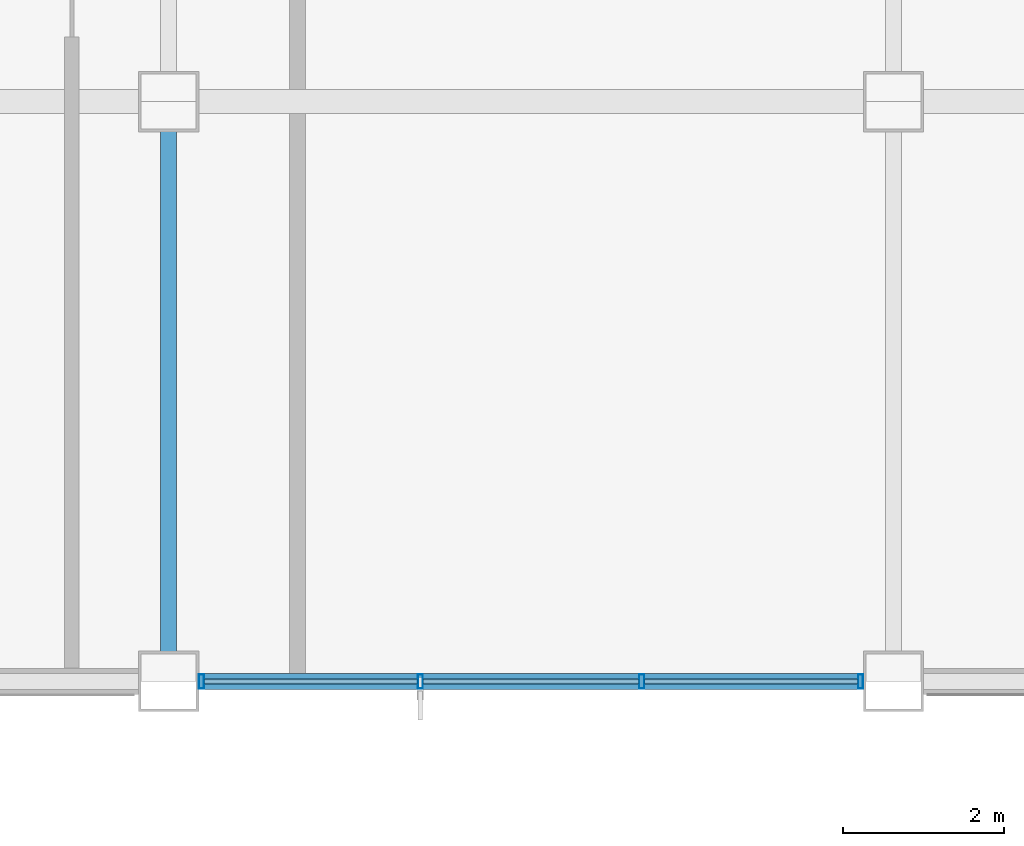
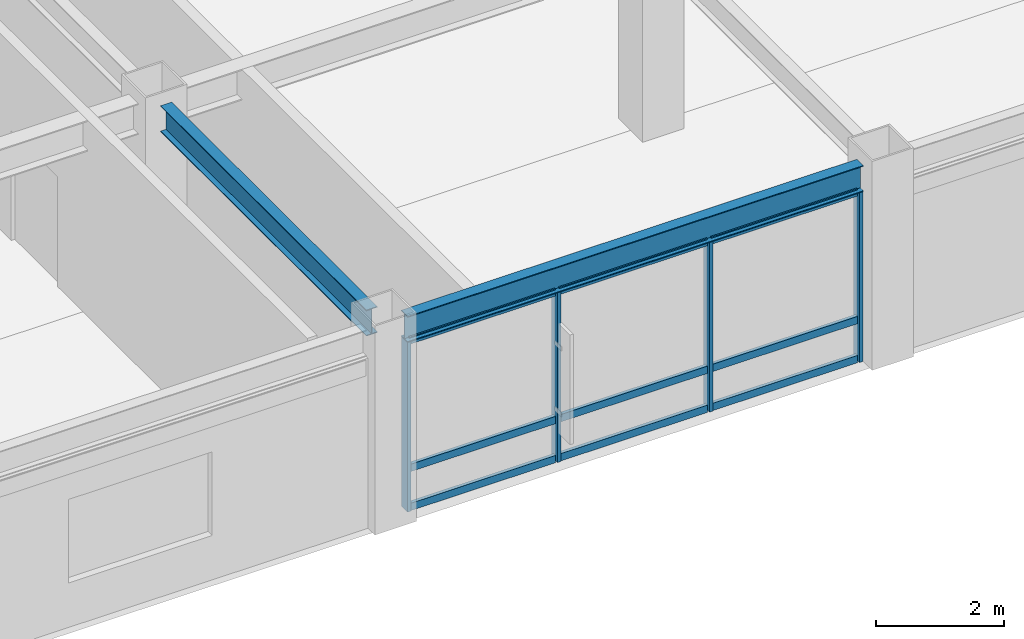
# One storey, part 87 of 122: 13 members, 2 beams, 1 element without a shape of its own.
"""IFC4 building model written with IfcOpenShell, lengths in metres."""

from ifc_helpers import new_model, si_unit, direction, frame, origin, origin_2d, place, context, subcontext, project, spatial, hollow_rectangle, i_section, extrude, material, material_profile, profile_set, type_object, element, aggregate, save


model = new_model("IFC4")

# Units and contexts
model_context = context("Model", 3, precision=1e-05, world=origin(), true_north=direction((0.0, 1.0)))
body_context = subcontext(model_context, "Body", "Model", "MODEL_VIEW")
ifc_project = project(units=[si_unit("LENGTHUNIT", "METRE"), si_unit("AREAUNIT", "SQUARE_METRE"), si_unit("VOLUMEUNIT", "CUBIC_METRE"), si_unit("PLANEANGLEUNIT", "RADIAN"), si_unit("MASSUNIT", "GRAM", prefix="KILO")], contexts=[model_context])

# Site, building, storey
site_placement = place(None, origin())
site = spatial("IfcSite", under=ifc_project, at=site_placement, CompositionType="ELEMENT")
building_placement = place(site_placement, origin())
building = spatial("IfcBuilding", under=site, at=building_placement, Name="Kazanami Central Library", CompositionType="ELEMENT")
storey_placement = place(building_placement, frame((0.0, 0.0, 4.800048828125)))
storey = spatial("IfcBuildingStorey", under=building, at=storey_placement, Name="L02", CompositionType="ELEMENT", Elevation=4.800048828125)

# Beams
ifc_material_1 = material(Name="Steel SN490B (325 MPa)", Category="steel")
ifc_material_profile_1 = material_profile(ifc_material_1, i_section(OverallWidth=0.199951171875, OverallDepth=0.5, WebThickness=0.010009765625, FlangeThickness=0.01611328125, at=origin_2d()), Name="H-500x200x10x16")
ifc_profile_set_1 = profile_set([ifc_material_profile_1], Name="Steel SN490B (325 MPa)")
beam_type_1 = type_object("IfcBeamType", Name="BM-G-Y2", PredefinedType="BEAM", material=ifc_profile_set_1)
beam_1_placement = place(storey_placement, frame((144.0, 43.572998046875, 3.5048828125), z_axis=(0.0, 1.0, 0.0), x_axis=(-1.0, 0.0, 0.0)))
element("IfcBeam", 1, at=beam_1_placement, inside=storey, type_object=beam_type_1, Name="Girder G-Y2 L02 17/G-H", PredefinedType="BEAM", context=body_context, shape_type="SweptSolid", body=[
    extrude(i_section(OverallWidth=0.199951171875, OverallDepth=0.5, WebThickness=0.010009765625, FlangeThickness=0.01611328125, at=origin_2d()), origin(), (0.0, 0.0, 1.0), 6.4541015625),
])
ifc_material_profile_2 = material_profile(ifc_material_1, i_section(OverallWidth=0.199951171875, OverallDepth=0.5, WebThickness=0.010009765625, FlangeThickness=0.01611328125, at=origin_2d()), Name="H-500x200x10x16")
ifc_profile_set_2 = profile_set([ifc_material_profile_2], Name="Steel SN490B (325 MPa)")
beam_type_2 = type_object("IfcBeamType", Name="BM-SP-1", PredefinedType="SPANDREL", material=ifc_profile_set_2)
beam_2_placement = place(storey_placement, frame((144.373046875, 43.199951171875, 3.5048828125), z_axis=(1.0, 0.0, 0.0), x_axis=(0.0, 1.0, 0.0)))
element("IfcBeam", 2, at=beam_2_placement, inside=storey, type_object=beam_type_2, Name="Girder SP-1 L02 G/17-18", PredefinedType="SPANDREL", context=body_context, shape_type="SweptSolid", body=[
    extrude(i_section(OverallWidth=0.199951171875, OverallDepth=0.5, WebThickness=0.010009765625, FlangeThickness=0.01611328125, at=origin_2d()), origin(), (0.0, 0.0, 1.0), 8.25390625),
])

# Curtain wall, members
ifc_material_2 = material(Name="Acid-Etched Low-E Laminated Glass", Category="glass")
curtain_wall_type = type_object("IfcCurtainWallType", Name="CW-8250x3255-M275", PredefinedType="USERDEFINED", material=ifc_material_2)
curtain_wall_placement = place(storey_placement, origin())
curtain_wall = element("IfcCurtainWall", 3, at=curtain_wall_placement, inside=storey, type_object=curtain_wall_type, Name="Unitised Curtain Wall CW-15 L02 S-G-16", ObjectType="UNITISED CURTAIN WALL", PredefinedType="USERDEFINED")
ifc_material_3 = material(Name="Anodised Aluminium A6063-T5", Category="aluminium")
ifc_material_profile_3 = material_profile(ifc_material_3, hollow_rectangle(XDim=0.06494140625, YDim=0.179931640625, WallThickness=0.00390625, at=origin_2d()), Name="ALU-MULL-65x180x4")
ifc_profile_set_3 = profile_set([ifc_material_profile_3], Name="Anodised Aluminium A6063-T5")
member_type_1 = type_object("IfcMemberType", Name="MEM-CW-M2", PredefinedType="MULLION", material=ifc_profile_set_3)
member_1_placement = place(storey_placement, frame((144.407470703125, 43.199951171875, 0.0), z_axis=(0.0, 0.0, 1.0), x_axis=(1.0, 0.0, 0.0)))
member_1 = element("IfcMember", 4, at=member_1_placement, type_object=member_type_1, Name="CW-15 mullion 1", PredefinedType="MULLION", context=body_context, shape_type="SweptSolid", body=[
    extrude(hollow_rectangle(XDim=0.06494140625, YDim=0.179931640625, WallThickness=0.00390625, at=origin_2d()), origin(), (0.0, 0.0, 1.0), 3.2548828125),
])
member_2_placement = place(storey_placement, frame((147.125, 43.199951171875, 0.0), z_axis=(0.0, 0.0, 1.0), x_axis=(1.0, 0.0, 0.0)))
member_2 = element("IfcMember", 5, at=member_2_placement, type_object=member_type_1, Name="CW-15 mullion 2", PredefinedType="MULLION", context=body_context, shape_type="SweptSolid", body=[
    extrude(hollow_rectangle(XDim=0.06494140625, YDim=0.179931640625, WallThickness=0.00390625, at=origin_2d()), origin(), (0.0, 0.0, 1.0), 3.2548828125),
])
member_3_placement = place(storey_placement, frame((149.875, 43.199951171875, 0.0), z_axis=(0.0, 0.0, 1.0), x_axis=(1.0, 0.0, 0.0)))
member_3 = element("IfcMember", 6, at=member_3_placement, type_object=member_type_1, Name="CW-15 mullion 3", PredefinedType="MULLION", context=body_context, shape_type="SweptSolid", body=[
    extrude(hollow_rectangle(XDim=0.06494140625, YDim=0.179931640625, WallThickness=0.00390625, at=origin_2d()), origin(), (0.0, 0.0, 1.0), 3.2548828125),
])
member_4_placement = place(storey_placement, frame((152.592529296875, 43.199951171875, 0.0), z_axis=(0.0, 0.0, 1.0), x_axis=(1.0, 0.0, 0.0)))
member_4 = element("IfcMember", 7, at=member_4_placement, type_object=member_type_1, Name="CW-15 mullion 4", PredefinedType="MULLION", context=body_context, shape_type="SweptSolid", body=[
    extrude(hollow_rectangle(XDim=0.06494140625, YDim=0.179931640625, WallThickness=0.00390625, at=origin_2d()), origin(), (0.0, 0.0, 1.0), 3.2548828125),
])
ifc_material_profile_4 = material_profile(ifc_material_3, hollow_rectangle(XDim=0.06494140625, YDim=0.139892578125, WallThickness=0.00390625, at=origin_2d()), Name="ALU-TRAN-65x140x4")
ifc_profile_set_4 = profile_set([ifc_material_profile_4], Name="Anodised Aluminium A6063-T5")
member_type_2 = type_object("IfcMemberType", Name="MEM-CW-T2", PredefinedType="USERDEFINED", material=ifc_profile_set_4)
member_5_placement = place(storey_placement, frame((144.43994140625, 43.199951171875, 0.032470703125), z_axis=(1.0, 0.0, 0.0), x_axis=(0.0, 1.0, 0.0)))
member_5 = element("IfcMember", 8, at=member_5_placement, type_object=member_type_2, Name="CW-15 transom 1.1", ObjectType="TRANSOM", PredefinedType="USERDEFINED", context=body_context, shape_type="SweptSolid", body=[
    extrude(hollow_rectangle(XDim=0.06494140625, YDim=0.139892578125, WallThickness=0.00390625, at=origin_2d()), origin(), (0.0, 0.0, 1.0), 2.652587890625),
])
member_6_placement = place(storey_placement, frame((144.43994140625, 43.199951171875, 0.780029296875), z_axis=(1.0, 0.0, 0.0), x_axis=(0.0, 1.0, 0.0)))
member_6 = element("IfcMember", 9, at=member_6_placement, type_object=member_type_2, Name="CW-15 transom 1.2", ObjectType="TRANSOM", PredefinedType="USERDEFINED", context=body_context, shape_type="SweptSolid", body=[
    extrude(hollow_rectangle(XDim=0.06494140625, YDim=0.139892578125, WallThickness=0.00390625, at=origin_2d()), origin(), (0.0, 0.0, 1.0), 2.652587890625),
])
member_7_placement = place(storey_placement, frame((144.43994140625, 43.199951171875, 3.222412109375), z_axis=(1.0, 0.0, 0.0), x_axis=(0.0, 1.0, 0.0)))
member_7 = element("IfcMember", 10, at=member_7_placement, type_object=member_type_2, Name="CW-15 transom 1.3", ObjectType="TRANSOM", PredefinedType="USERDEFINED", context=body_context, shape_type="SweptSolid", body=[
    extrude(hollow_rectangle(XDim=0.06494140625, YDim=0.139892578125, WallThickness=0.00390625, at=origin_2d()), origin(), (0.0, 0.0, 1.0), 2.652587890625),
])
member_8_placement = place(storey_placement, frame((147.157470703125, 43.199951171875, 0.032470703125), z_axis=(1.0, 0.0, 0.0), x_axis=(0.0, 1.0, 0.0)))
member_8 = element("IfcMember", 11, at=member_8_placement, type_object=member_type_2, Name="CW-15 transom 2.1", ObjectType="TRANSOM", PredefinedType="USERDEFINED", context=body_context, shape_type="SweptSolid", body=[
    extrude(hollow_rectangle(XDim=0.06494140625, YDim=0.139892578125, WallThickness=0.00390625, at=origin_2d()), origin(), (0.0, 0.0, 1.0), 2.68505859375),
])
member_9_placement = place(storey_placement, frame((147.157470703125, 43.199951171875, 0.780029296875), z_axis=(1.0, 0.0, 0.0), x_axis=(0.0, 1.0, 0.0)))
member_9 = element("IfcMember", 12, at=member_9_placement, type_object=member_type_2, Name="CW-15 transom 2.2", ObjectType="TRANSOM", PredefinedType="USERDEFINED", context=body_context, shape_type="SweptSolid", body=[
    extrude(hollow_rectangle(XDim=0.06494140625, YDim=0.139892578125, WallThickness=0.00390625, at=origin_2d()), origin(), (0.0, 0.0, 1.0), 2.68505859375),
])
member_10_placement = place(storey_placement, frame((147.157470703125, 43.199951171875, 3.222412109375), z_axis=(1.0, 0.0, 0.0), x_axis=(0.0, 1.0, 0.0)))
member_10 = element("IfcMember", 13, at=member_10_placement, type_object=member_type_2, Name="CW-15 transom 2.3", ObjectType="TRANSOM", PredefinedType="USERDEFINED", context=body_context, shape_type="SweptSolid", body=[
    extrude(hollow_rectangle(XDim=0.06494140625, YDim=0.139892578125, WallThickness=0.00390625, at=origin_2d()), origin(), (0.0, 0.0, 1.0), 2.68505859375),
])
member_11_placement = place(storey_placement, frame((149.907470703125, 43.199951171875, 0.032470703125), z_axis=(1.0, 0.0, 0.0), x_axis=(0.0, 1.0, 0.0)))
member_11 = element("IfcMember", 14, at=member_11_placement, type_object=member_type_2, Name="CW-15 transom 3.1", ObjectType="TRANSOM", PredefinedType="USERDEFINED", context=body_context, shape_type="SweptSolid", body=[
    extrude(hollow_rectangle(XDim=0.06494140625, YDim=0.139892578125, WallThickness=0.00390625, at=origin_2d()), origin(), (0.0, 0.0, 1.0), 2.652587890625),
])
member_12_placement = place(storey_placement, frame((149.907470703125, 43.199951171875, 0.780029296875), z_axis=(1.0, 0.0, 0.0), x_axis=(0.0, 1.0, 0.0)))
member_12 = element("IfcMember", 15, at=member_12_placement, type_object=member_type_2, Name="CW-15 transom 3.2", ObjectType="TRANSOM", PredefinedType="USERDEFINED", context=body_context, shape_type="SweptSolid", body=[
    extrude(hollow_rectangle(XDim=0.06494140625, YDim=0.139892578125, WallThickness=0.00390625, at=origin_2d()), origin(), (0.0, 0.0, 1.0), 2.652587890625),
])
member_13_placement = place(storey_placement, frame((149.907470703125, 43.199951171875, 3.222412109375), z_axis=(1.0, 0.0, 0.0), x_axis=(0.0, 1.0, 0.0)))
member_13 = element("IfcMember", 16, at=member_13_placement, type_object=member_type_2, Name="CW-15 transom 3.3", ObjectType="TRANSOM", PredefinedType="USERDEFINED", context=body_context, shape_type="SweptSolid", body=[
    extrude(hollow_rectangle(XDim=0.06494140625, YDim=0.139892578125, WallThickness=0.00390625, at=origin_2d()), origin(), (0.0, 0.0, 1.0), 2.652587890625),
])
aggregate(curtain_wall, [member_1, member_2, member_3, member_4, member_5, member_6, member_7, member_8, member_9, member_10, member_11, member_12, member_13])

save(model, "model.ifc")
